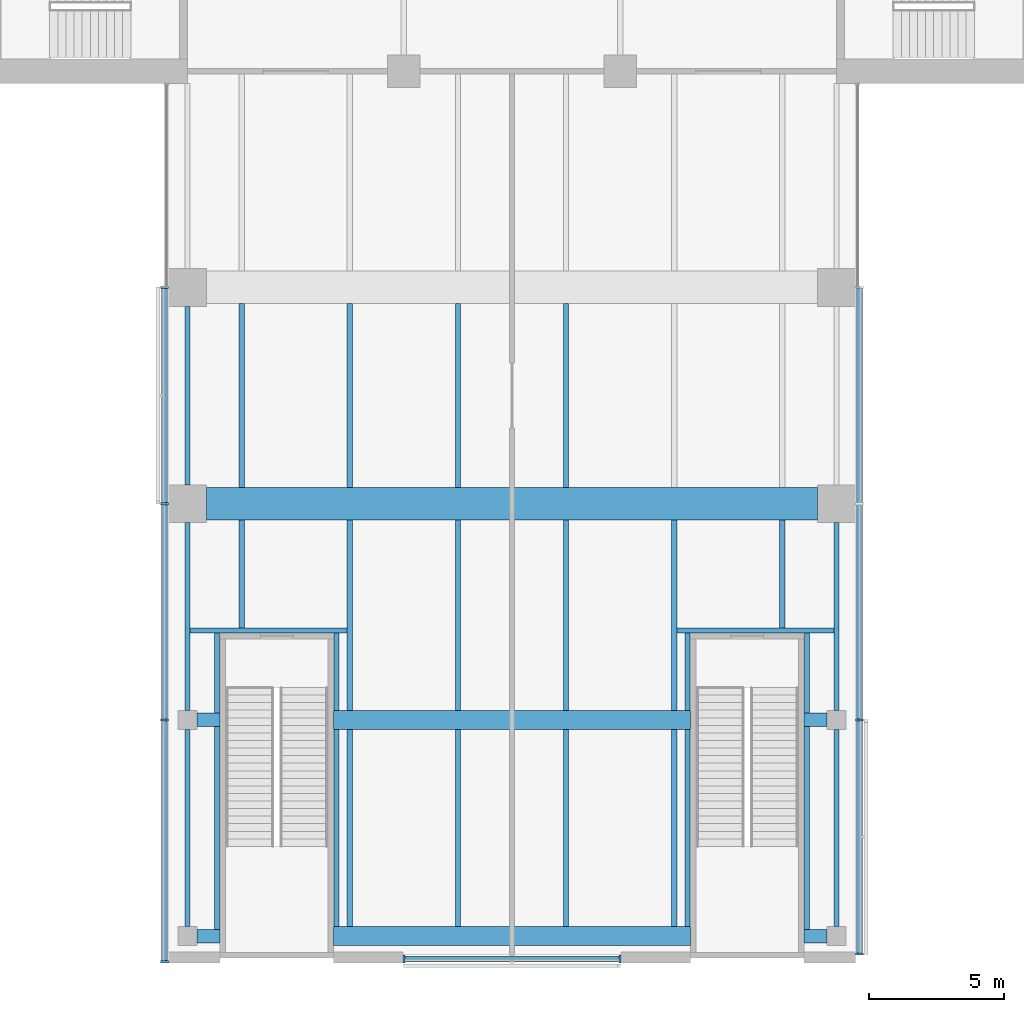
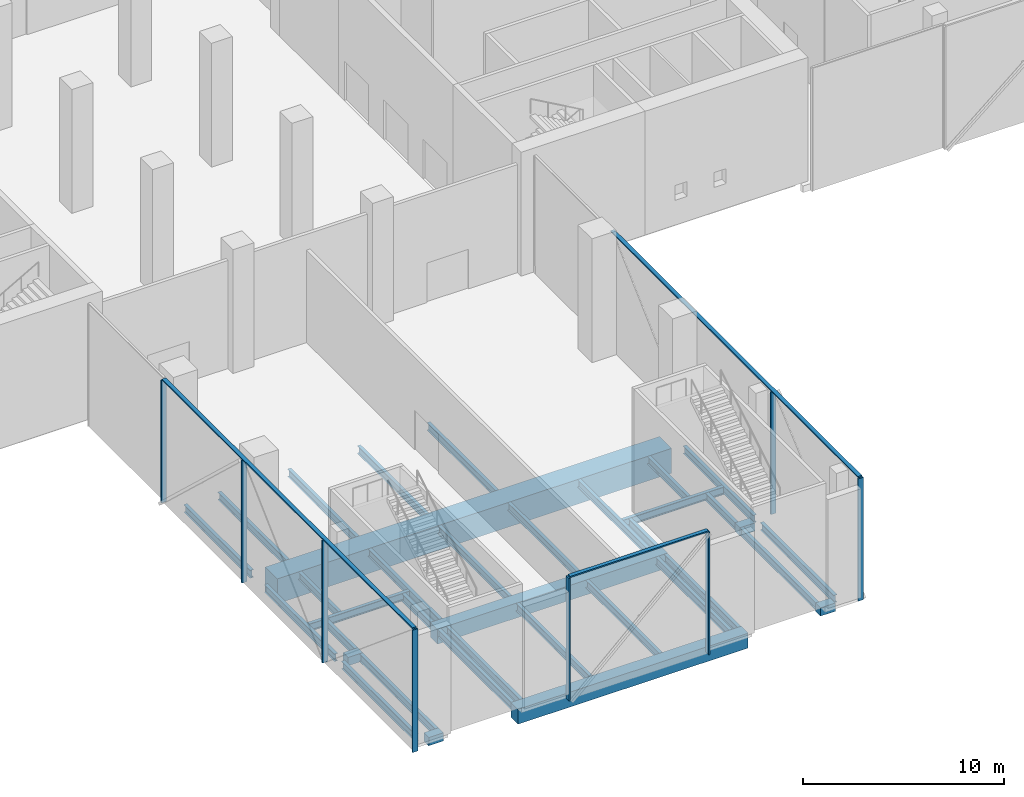
# One storey, part 2 of 25: 36 beams, 11 members, 3 elements without a shape of their own.
"""IFC4 building model written with IfcOpenShell, lengths in metres."""

from ifc_helpers import new_model, si_unit, direction, frame, origin, origin_2d, place, context, subcontext, project, spatial, rectangle, i_section, extrude, material, material_profile, profile_set, type_object, element, aggregate, save


model = new_model("IFC4")

# Units and contexts
model_context = context("Model", 3, precision=1e-05, world=origin(), true_north=direction((0.0, 1.0)))
body_context = subcontext(model_context, "Body", "Model", "MODEL_VIEW")
ifc_project = project(units=[si_unit("LENGTHUNIT", "METRE"), si_unit("AREAUNIT", "SQUARE_METRE"), si_unit("VOLUMEUNIT", "CUBIC_METRE"), si_unit("PLANEANGLEUNIT", "RADIAN"), si_unit("MASSUNIT", "GRAM", prefix="KILO")], contexts=[model_context])

# Site, building, storey
site_placement = place(None, origin())
site = spatial("IfcSite", under=ifc_project, at=site_placement, CompositionType="ELEMENT")
building_placement = place(site_placement, origin())
building = spatial("IfcBuilding", under=site, at=building_placement, Name="Crosswind Convention Tower", CompositionType="ELEMENT")
storey_placement = place(building_placement, frame((0.0, 0.0, 34.0)))
storey = spatial("IfcBuildingStorey", under=building, at=storey_placement, Name="L04", CompositionType="ELEMENT", Elevation=34.0)

# Beams
ifc_material_1 = material(Name="Steel S355", Category="steel")
ifc_material_profile_1 = material_profile(ifc_material_1, i_section(OverallWidth=0.19287109375, OverallDepth=0.467529296875, WebThickness=0.011474609375, FlangeThickness=0.01953125, FilletRadius=0.01025390625, at=origin_2d()), Name="UB 457x191x98")
ifc_profile_set_1 = profile_set([ifc_material_profile_1], Name="Steel S355")
beam_type_1 = type_object("IfcBeamType", Name="Edge beam UB 457x191x98", PredefinedType="SPANDREL", material=ifc_profile_set_1)
beam_1_placement = place(storey_placement, frame((113.0, 56.35009765625, -0.6337890625), z_axis=(0.0, 1.0, 0.0), x_axis=(-1.0, 0.0, 0.0)))
element("IfcBeam", 1, at=beam_1_placement, inside=storey, type_object=beam_type_1, Name="B20 L04 edge beam 5", PredefinedType="SPANDREL", context=body_context, shape_type="SweptSolid", body=[
    extrude(i_section(OverallWidth=0.19287109375, OverallDepth=0.467529296875, WebThickness=0.011474609375, FlangeThickness=0.01953125, FilletRadius=0.01025390625, at=origin_2d()), origin(), (0.0, 0.0, 1.0), 7.2998046875),
])
beam_2_placement = place(storey_placement, frame((113.0, 64.35009765625, -0.6337890625), z_axis=(0.0, 1.0, 0.0), x_axis=(-1.0, 0.0, 0.0)))
element("IfcBeam", 2, at=beam_2_placement, inside=storey, type_object=beam_type_1, Name="B20 L04 edge beam 6", PredefinedType="SPANDREL", context=body_context, shape_type="SweptSolid", body=[
    extrude(i_section(OverallWidth=0.19287109375, OverallDepth=0.467529296875, WebThickness=0.011474609375, FlangeThickness=0.01953125, FilletRadius=0.01025390625, at=origin_2d()), origin(), (0.0, 0.0, 1.0), 6.949951171875),
])
beam_3_placement = place(storey_placement, frame((113.0, 72.699951171875, -0.6337890625), z_axis=(0.0, 1.0, 0.0), x_axis=(-1.0, 0.0, 0.0)))
element("IfcBeam", 3, at=beam_3_placement, inside=storey, type_object=beam_type_1, Name="B20 L04 edge beam 7", PredefinedType="SPANDREL", context=body_context, shape_type="SweptSolid", body=[
    extrude(i_section(OverallWidth=0.19287109375, OverallDepth=0.467529296875, WebThickness=0.011474609375, FlangeThickness=0.01953125, FilletRadius=0.01025390625, at=origin_2d()), origin(), (0.0, 0.0, 1.0), 6.60009765625),
])
beam_4_placement = place(storey_placement, frame((137.0, 56.35009765625, -0.6337890625), z_axis=(0.0, 1.0, 0.0), x_axis=(-1.0, 0.0, 0.0)))
element("IfcBeam", 4, at=beam_4_placement, inside=storey, type_object=beam_type_1, Name="B20 L04 edge beam 13", PredefinedType="SPANDREL", context=body_context, shape_type="SweptSolid", body=[
    extrude(i_section(OverallWidth=0.19287109375, OverallDepth=0.467529296875, WebThickness=0.011474609375, FlangeThickness=0.01953125, FilletRadius=0.01025390625, at=origin_2d()), origin(), (0.0, 0.0, 1.0), 7.2998046875),
])
beam_5_placement = place(storey_placement, frame((137.0, 64.35009765625, -0.6337890625), z_axis=(0.0, 1.0, 0.0), x_axis=(-1.0, 0.0, 0.0)))
element("IfcBeam", 5, at=beam_5_placement, inside=storey, type_object=beam_type_1, Name="B20 L04 edge beam 14", PredefinedType="SPANDREL", context=body_context, shape_type="SweptSolid", body=[
    extrude(i_section(OverallWidth=0.19287109375, OverallDepth=0.467529296875, WebThickness=0.011474609375, FlangeThickness=0.01953125, FilletRadius=0.01025390625, at=origin_2d()), origin(), (0.0, 0.0, 1.0), 6.949951171875),
])

# Curtain wall, members
ifc_material_2 = material(Name="Aluminium unitised curtain wall", Category="aluminium")
curtain_wall_type = type_object("IfcCurtainWallType", Name="PODIUM UNITISED WALL 300", PredefinedType="USERDEFINED", material=ifc_material_2)
curtain_wall_1_placement = place(storey_placement, origin())
curtain_wall_1 = element("IfcCurtainWall", 6, at=curtain_wall_1_placement, inside=storey, type_object=curtain_wall_type, Name="CW1 L04 S-W 1", ObjectType="UNITISED", PredefinedType="USERDEFINED")
ifc_material_3 = material(Name="Aluminium mullion", Category="aluminium")
ifc_material_profile_2 = material_profile(ifc_material_3, rectangle(XDim=0.300048828125, YDim=0.080078125, at=origin_2d()), Name="AL 300X80")
ifc_profile_set_2 = profile_set([ifc_material_profile_2], Name="Aluminium mullion")
member_type_1 = type_object("IfcMemberType", Name="MULLION 80X300", PredefinedType="MULLION", material=ifc_profile_set_2)
member_1_placement = place(storey_placement, frame((112.14990234375, 80.0, -0.39990234375), z_axis=(0.0, 0.0, 1.0), x_axis=(-1.0, 0.0, 0.0)))
member_1 = element("IfcMember", 7, at=member_1_placement, type_object=member_type_1, Name="CW1 mullion 1", PredefinedType="MULLION", context=body_context, shape_type="SweptSolid", body=[
    extrude(rectangle(XDim=0.300048828125, YDim=0.080078125, at=origin_2d()), origin(), (0.0, 0.0, 1.0), 7.419921875),
])
member_2_placement = place(storey_placement, frame((112.14990234375, 72.0, -0.39990234375), z_axis=(0.0, 0.0, 1.0), x_axis=(-1.0, 0.0, 0.0)))
member_2 = element("IfcMember", 8, at=member_2_placement, type_object=member_type_1, Name="CW1 mullion 2", PredefinedType="MULLION", context=body_context, shape_type="SweptSolid", body=[
    extrude(rectangle(XDim=0.300048828125, YDim=0.080078125, at=origin_2d()), origin(), (0.0, 0.0, 1.0), 7.419921875),
])
member_3_placement = place(storey_placement, frame((112.14990234375, 64.0, -0.39990234375), z_axis=(0.0, 0.0, 1.0), x_axis=(-1.0, 0.0, 0.0)))
member_3 = element("IfcMember", 9, at=member_3_placement, type_object=member_type_1, Name="CW1 mullion 3", PredefinedType="MULLION", context=body_context, shape_type="SweptSolid", body=[
    extrude(rectangle(XDim=0.300048828125, YDim=0.080078125, at=origin_2d()), origin(), (0.0, 0.0, 1.0), 7.419921875),
])
member_4_placement = place(storey_placement, frame((112.14990234375, 55.054931640625, -0.39990234375), z_axis=(0.0, 0.0, 1.0), x_axis=(-1.0, 0.0, 0.0)))
member_4 = element("IfcMember", 10, at=member_4_placement, type_object=member_type_1, Name="CW1 mullion 4", PredefinedType="MULLION", context=body_context, shape_type="SweptSolid", body=[
    extrude(rectangle(XDim=0.300048828125, YDim=0.080078125, at=origin_2d()), origin(), (0.0, 0.0, 1.0), 7.419921875),
])

curtain_wall_2_placement = place(storey_placement, origin())
curtain_wall_2 = element("IfcCurtainWall", 11, at=curtain_wall_2_placement, inside=storey, type_object=curtain_wall_type, Name="CW1 L04 S-TIP 1", ObjectType="UNITISED", PredefinedType="USERDEFINED")
member_5_placement = place(storey_placement, frame((121.0, 55.14990234375, -0.39990234375), z_axis=(0.0, 0.0, 1.0), x_axis=(0.0, -1.0, 0.0)))
member_5 = element("IfcMember", 12, at=member_5_placement, type_object=member_type_1, Name="CW1 mullion 1", PredefinedType="MULLION", context=body_context, shape_type="SweptSolid", body=[
    extrude(rectangle(XDim=0.300048828125, YDim=0.080078125, at=origin_2d()), origin(), (0.0, 0.0, 1.0), 7.419921875),
])
member_6_placement = place(storey_placement, frame((129.0, 55.14990234375, -0.39990234375), z_axis=(0.0, 0.0, 1.0), x_axis=(0.0, -1.0, 0.0)))
member_6 = element("IfcMember", 13, at=member_6_placement, type_object=member_type_1, Name="CW1 mullion 2", PredefinedType="MULLION", context=body_context, shape_type="SweptSolid", body=[
    extrude(rectangle(XDim=0.300048828125, YDim=0.080078125, at=origin_2d()), origin(), (0.0, 0.0, 1.0), 7.419921875),
])

curtain_wall_3_placement = place(storey_placement, origin())
curtain_wall_3 = element("IfcCurtainWall", 14, at=curtain_wall_3_placement, inside=storey, type_object=curtain_wall_type, Name="CW1 L04 S-E 1", ObjectType="UNITISED", PredefinedType="USERDEFINED")
member_7_placement = place(storey_placement, frame((137.85009765625, 55.340087890625, -0.39990234375), z_axis=(0.0, 0.0, 1.0), x_axis=(1.0, 0.0, 0.0)))
member_7 = element("IfcMember", 15, at=member_7_placement, type_object=member_type_1, Name="CW1 mullion 1", PredefinedType="MULLION", context=body_context, shape_type="SweptSolid", body=[
    extrude(rectangle(XDim=0.300048828125, YDim=0.080078125, at=origin_2d()), origin(), (0.0, 0.0, 1.0), 7.419921875),
])
member_8_placement = place(storey_placement, frame((137.85009765625, 64.0, -0.39990234375), z_axis=(0.0, 0.0, 1.0), x_axis=(1.0, 0.0, 0.0)))
member_8 = element("IfcMember", 16, at=member_8_placement, type_object=member_type_1, Name="CW1 mullion 2", PredefinedType="MULLION", context=body_context, shape_type="SweptSolid", body=[
    extrude(rectangle(XDim=0.300048828125, YDim=0.080078125, at=origin_2d()), origin(), (0.0, 0.0, 1.0), 7.419921875),
])

# Beams
ifc_material_4 = material(Name="Concrete C70/85", Category="concrete")
ifc_material_profile_3 = material_profile(ifc_material_4, rectangle(XDim=1.199951171875, YDim=1.5, at=origin_2d()), Name="RC 1200X1500")
ifc_profile_set_3 = profile_set([ifc_material_profile_3], Name="Concrete C70/85")
beam_type_2 = type_object("IfcBeamType", Name="Prestressed concrete girder RC 1200X1500", PredefinedType="BEAM", material=ifc_profile_set_3)
beam_6_placement = place(storey_placement, frame((113.699951171875, 72.0, -1.14990234375), z_axis=(1.0, 0.0, 0.0), x_axis=(0.0, 1.0, 0.0)))
element("IfcBeam", 17, at=beam_6_placement, inside=storey, type_object=beam_type_2, Name="B39 L04 prestressed concrete girder 1", PredefinedType="BEAM", context=body_context, shape_type="SweptSolid", body=[
    extrude(rectangle(XDim=1.199951171875, YDim=1.5, at=origin_2d()), origin(), (0.0, 0.0, 1.0), 22.60009765625),
])
ifc_material_5 = material(Name="Concrete C60/75", Category="concrete")
ifc_material_profile_4 = material_profile(ifc_material_5, rectangle(XDim=0.699951171875, YDim=0.89990234375, at=origin_2d()), Name="RC 700X900")
ifc_profile_set_4 = profile_set([ifc_material_profile_4], Name="Concrete C60/75")
beam_type_3 = type_object("IfcBeamType", Name="Prestressed concrete girder between stair walls RC 700X900", PredefinedType="BEAM", material=ifc_profile_set_4)
for number, where, z_axis, x_axis, name in (
    (18, (118.39990234375, 56.0, -0.85009765625), (1.0, 0.0, 0.0), (0.0, 1.0, 0.0), "B41 L04 prestressed concrete girder between stair walls 3"),
    (19, (118.39990234375, 64.0, -0.85009765625), (1.0, 0.0, 0.0), (0.0, 1.0, 0.0), "B41 L04 prestressed concrete girder between stair walls 4"),
):
    element("IfcBeam", number, at=place(storey_placement, frame(where, z_axis=z_axis, x_axis=x_axis)), inside=storey, type_object=beam_type_3, Name=name, PredefinedType="BEAM", context=body_context, shape_type="SweptSolid", body=[
        extrude(rectangle(XDim=0.699951171875, YDim=0.89990234375, at=origin_2d()), origin(), (0.0, 0.0, 1.0), 13.2001953125),
    ])
ifc_material_profile_5 = material_profile(ifc_material_1, i_section(OverallWidth=0.19140625, OverallDepth=0.460205078125, WebThickness=0.010009765625, FlangeThickness=0.01611328125, FilletRadius=0.01025390625, at=origin_2d()), Name="UB 457x191x82")
ifc_profile_set_5 = profile_set([ifc_material_profile_5], Name="Steel S355")
beam_type_4 = type_object("IfcBeamType", Name="Secondary beam UB 457x191x82", PredefinedType="JOIST", material=ifc_profile_set_5)
beam_7_placement = place(storey_placement, frame((115.0, 67.406005859375, -0.630126953125), z_axis=(0.0, 1.0, 0.0), x_axis=(-1.0, 0.0, 0.0)))
element("IfcBeam", 20, at=beam_7_placement, inside=storey, type_object=beam_type_4, Name="B13 L04 secondary beam 14", PredefinedType="JOIST", context=body_context, shape_type="SweptSolid", body=[
    extrude(i_section(OverallWidth=0.19140625, OverallDepth=0.460205078125, WebThickness=0.010009765625, FlangeThickness=0.01611328125, FilletRadius=0.01025390625, at=origin_2d()), origin(), (0.0, 0.0, 1.0), 3.993896484375),
])
beam_8_placement = place(storey_placement, frame((115.0, 72.60009765625, -0.630126953125), z_axis=(0.0, 1.0, 0.0), x_axis=(-1.0, 0.0, 0.0)))
element("IfcBeam", 21, at=beam_8_placement, inside=storey, type_object=beam_type_4, Name="B13 L04 secondary beam 15", PredefinedType="JOIST", context=body_context, shape_type="SweptSolid", body=[
    extrude(i_section(OverallWidth=0.19140625, OverallDepth=0.460205078125, WebThickness=0.010009765625, FlangeThickness=0.01611328125, FilletRadius=0.01025390625, at=origin_2d()), origin(), (0.0, 0.0, 1.0), 6.7998046875),
])
beam_9_placement = place(storey_placement, frame((119.0, 56.35009765625, -0.630126953125), z_axis=(0.0, 1.0, 0.0), x_axis=(-1.0, 0.0, 0.0)))
element("IfcBeam", 22, at=beam_9_placement, inside=storey, type_object=beam_type_4, Name="B13 L04 secondary beam 20", PredefinedType="JOIST", context=body_context, shape_type="SweptSolid", body=[
    extrude(i_section(OverallWidth=0.19140625, OverallDepth=0.460205078125, WebThickness=0.010009765625, FlangeThickness=0.01611328125, FilletRadius=0.01025390625, at=origin_2d()), origin(), (0.0, 0.0, 1.0), 7.2998046875),
])
beam_10_placement = place(storey_placement, frame((119.0, 64.35009765625, -0.630126953125), z_axis=(0.0, 1.0, 0.0), x_axis=(-1.0, 0.0, 0.0)))
element("IfcBeam", 23, at=beam_10_placement, inside=storey, type_object=beam_type_4, Name="B13 L04 secondary beam 21", PredefinedType="JOIST", context=body_context, shape_type="SweptSolid", body=[
    extrude(i_section(OverallWidth=0.19140625, OverallDepth=0.460205078125, WebThickness=0.010009765625, FlangeThickness=0.01611328125, FilletRadius=0.01025390625, at=origin_2d()), origin(), (0.0, 0.0, 1.0), 7.0498046875),
])
beam_11_placement = place(storey_placement, frame((119.0, 72.60009765625, -0.630126953125), z_axis=(0.0, 1.0, 0.0), x_axis=(-1.0, 0.0, 0.0)))
element("IfcBeam", 24, at=beam_11_placement, inside=storey, type_object=beam_type_4, Name="B13 L04 secondary beam 22", PredefinedType="JOIST", context=body_context, shape_type="SweptSolid", body=[
    extrude(i_section(OverallWidth=0.19140625, OverallDepth=0.460205078125, WebThickness=0.010009765625, FlangeThickness=0.01611328125, FilletRadius=0.01025390625, at=origin_2d()), origin(), (0.0, 0.0, 1.0), 6.7998046875),
])
beam_12_placement = place(storey_placement, frame((123.0, 56.35009765625, -0.630126953125), z_axis=(0.0, 1.0, 0.0), x_axis=(-1.0, 0.0, 0.0)))
element("IfcBeam", 25, at=beam_12_placement, inside=storey, type_object=beam_type_4, Name="B13 L04 secondary beam 31", PredefinedType="JOIST", context=body_context, shape_type="SweptSolid", body=[
    extrude(i_section(OverallWidth=0.19140625, OverallDepth=0.460205078125, WebThickness=0.010009765625, FlangeThickness=0.01611328125, FilletRadius=0.01025390625, at=origin_2d()), origin(), (0.0, 0.0, 1.0), 7.2998046875),
])
beam_13_placement = place(storey_placement, frame((123.0, 64.35009765625, -0.630126953125), z_axis=(0.0, 1.0, 0.0), x_axis=(-1.0, 0.0, 0.0)))
element("IfcBeam", 26, at=beam_13_placement, inside=storey, type_object=beam_type_4, Name="B13 L04 secondary beam 32", PredefinedType="JOIST", context=body_context, shape_type="SweptSolid", body=[
    extrude(i_section(OverallWidth=0.19140625, OverallDepth=0.460205078125, WebThickness=0.010009765625, FlangeThickness=0.01611328125, FilletRadius=0.01025390625, at=origin_2d()), origin(), (0.0, 0.0, 1.0), 7.0498046875),
])
beam_14_placement = place(storey_placement, frame((123.0, 72.60009765625, -0.630126953125), z_axis=(0.0, 1.0, 0.0), x_axis=(-1.0, 0.0, 0.0)))
element("IfcBeam", 27, at=beam_14_placement, inside=storey, type_object=beam_type_4, Name="B13 L04 secondary beam 33", PredefinedType="JOIST", context=body_context, shape_type="SweptSolid", body=[
    extrude(i_section(OverallWidth=0.19140625, OverallDepth=0.460205078125, WebThickness=0.010009765625, FlangeThickness=0.01611328125, FilletRadius=0.01025390625, at=origin_2d()), origin(), (0.0, 0.0, 1.0), 6.7998046875),
])
beam_15_placement = place(storey_placement, frame((127.0, 56.35009765625, -0.630126953125), z_axis=(0.0, 1.0, 0.0), x_axis=(-1.0, 0.0, 0.0)))
element("IfcBeam", 28, at=beam_15_placement, inside=storey, type_object=beam_type_4, Name="B13 L04 secondary beam 39", PredefinedType="JOIST", context=body_context, shape_type="SweptSolid", body=[
    extrude(i_section(OverallWidth=0.19140625, OverallDepth=0.460205078125, WebThickness=0.010009765625, FlangeThickness=0.01611328125, FilletRadius=0.01025390625, at=origin_2d()), origin(), (0.0, 0.0, 1.0), 7.2998046875),
])
beam_16_placement = place(storey_placement, frame((127.0, 64.35009765625, -0.630126953125), z_axis=(0.0, 1.0, 0.0), x_axis=(-1.0, 0.0, 0.0)))
element("IfcBeam", 29, at=beam_16_placement, inside=storey, type_object=beam_type_4, Name="B13 L04 secondary beam 40", PredefinedType="JOIST", context=body_context, shape_type="SweptSolid", body=[
    extrude(i_section(OverallWidth=0.19140625, OverallDepth=0.460205078125, WebThickness=0.010009765625, FlangeThickness=0.01611328125, FilletRadius=0.01025390625, at=origin_2d()), origin(), (0.0, 0.0, 1.0), 7.0498046875),
])
beam_17_placement = place(storey_placement, frame((127.0, 72.60009765625, -0.630126953125), z_axis=(0.0, 1.0, 0.0), x_axis=(-1.0, 0.0, 0.0)))
element("IfcBeam", 30, at=beam_17_placement, inside=storey, type_object=beam_type_4, Name="B13 L04 secondary beam 41", PredefinedType="JOIST", context=body_context, shape_type="SweptSolid", body=[
    extrude(i_section(OverallWidth=0.19140625, OverallDepth=0.460205078125, WebThickness=0.010009765625, FlangeThickness=0.01611328125, FilletRadius=0.01025390625, at=origin_2d()), origin(), (0.0, 0.0, 1.0), 6.7998046875),
])
beam_18_placement = place(storey_placement, frame((131.0, 56.35009765625, -0.630126953125), z_axis=(0.0, 1.0, 0.0), x_axis=(-1.0, 0.0, 0.0)))
element("IfcBeam", 31, at=beam_18_placement, inside=storey, type_object=beam_type_4, Name="B13 L04 secondary beam 50", PredefinedType="JOIST", context=body_context, shape_type="SweptSolid", body=[
    extrude(i_section(OverallWidth=0.19140625, OverallDepth=0.460205078125, WebThickness=0.010009765625, FlangeThickness=0.01611328125, FilletRadius=0.01025390625, at=origin_2d()), origin(), (0.0, 0.0, 1.0), 7.2998046875),
])
beam_19_placement = place(storey_placement, frame((131.0, 64.35009765625, -0.630126953125), z_axis=(0.0, 1.0, 0.0), x_axis=(-1.0, 0.0, 0.0)))
element("IfcBeam", 32, at=beam_19_placement, inside=storey, type_object=beam_type_4, Name="B13 L04 secondary beam 51", PredefinedType="JOIST", context=body_context, shape_type="SweptSolid", body=[
    extrude(i_section(OverallWidth=0.19140625, OverallDepth=0.460205078125, WebThickness=0.010009765625, FlangeThickness=0.01611328125, FilletRadius=0.01025390625, at=origin_2d()), origin(), (0.0, 0.0, 1.0), 7.0498046875),
])
beam_20_placement = place(storey_placement, frame((135.0, 67.406005859375, -0.630126953125), z_axis=(0.0, 1.0, 0.0), x_axis=(-1.0, 0.0, 0.0)))
element("IfcBeam", 33, at=beam_20_placement, inside=storey, type_object=beam_type_4, Name="B13 L04 secondary beam 58", PredefinedType="JOIST", context=body_context, shape_type="SweptSolid", body=[
    extrude(i_section(OverallWidth=0.19140625, OverallDepth=0.460205078125, WebThickness=0.010009765625, FlangeThickness=0.01611328125, FilletRadius=0.01025390625, at=origin_2d()), origin(), (0.0, 0.0, 1.0), 3.993896484375),
])
ifc_material_profile_6 = material_profile(ifc_material_5, rectangle(XDim=0.5, YDim=0.5, at=origin_2d()), Name="RC 500X500")
ifc_profile_set_6 = profile_set([ifc_material_profile_6], Name="Concrete C60/75")
beam_type_5 = type_object("IfcBeamType", Name="Slab edge tie beam RC 500X500", PredefinedType="BEAM", material=ifc_profile_set_6)
for number, where, z_axis, x_axis, name in (
    (34, (113.35009765625, 56.0, -0.64990234375), (1.0, 0.0, 0.0), (0.0, 1.0, 0.0), "B42 L04 slab edge tie beam 5"),
    (35, (113.35009765625, 64.0, -0.64990234375), (1.0, 0.0, 0.0), (0.0, 1.0, 0.0), "B42 L04 slab edge tie beam 6"),
    (36, (135.800048828125, 56.0, -0.64990234375), (1.0, 0.0, 0.0), (0.0, 1.0, 0.0), "B42 L04 slab edge tie beam 9"),
    (37, (135.800048828125, 64.0, -0.64990234375), (1.0, 0.0, 0.0), (0.0, 1.0, 0.0), "B42 L04 slab edge tie beam 10"),
):
    element("IfcBeam", number, at=place(storey_placement, frame(where, z_axis=z_axis, x_axis=x_axis)), inside=storey, type_object=beam_type_5, Name=name, PredefinedType="BEAM", context=body_context, shape_type="SweptSolid", body=[
        extrude(rectangle(XDim=0.5, YDim=0.5, at=origin_2d()), origin(), (0.0, 0.0, 1.0), 0.849853515625),
    ])

# Member
ifc_material_6 = material(Name="Aluminium transom", Category="aluminium")
ifc_material_profile_7 = material_profile(ifc_material_6, rectangle(XDim=0.219970703125, YDim=0.080078125, at=origin_2d()), Name="AL 220X80")
ifc_profile_set_7 = profile_set([ifc_material_profile_7], Name="Aluminium transom")
member_type_2 = type_object("IfcMemberType", Name="TRANSOM 80X220", PredefinedType="USERDEFINED", material=ifc_profile_set_7)
member_9_placement = place(storey_placement, frame((112.14990234375, 79.9599609375, 7.06005859375), z_axis=(0.0, -1.0, 0.0), x_axis=(1.0, 0.0, 0.0)))
member_9 = element("IfcMember", 38, at=member_9_placement, type_object=member_type_2, Name="CW1 transom", ObjectType="TRANSOM", PredefinedType="USERDEFINED", context=body_context, shape_type="SweptSolid", body=[
    extrude(rectangle(XDim=0.219970703125, YDim=0.080078125, at=origin_2d()), origin(), (0.0, 0.0, 1.0), 24.864990234375),
])

aggregate(curtain_wall_1, [member_1, member_2, member_3, member_4, member_9])

member_10_placement = place(storey_placement, frame((121.0400390625, 55.14990234375, 7.06005859375), z_axis=(1.0, 0.0, 0.0), x_axis=(0.0, 1.0, 0.0)))
member_10 = element("IfcMember", 39, at=member_10_placement, type_object=member_type_2, Name="CW1 transom", ObjectType="TRANSOM", PredefinedType="USERDEFINED", context=body_context, shape_type="SweptSolid", body=[
    extrude(rectangle(XDim=0.219970703125, YDim=0.080078125, at=origin_2d()), origin(), (0.0, 0.0, 1.0), 7.919921875),
])

aggregate(curtain_wall_2, [member_5, member_6, member_10])

member_11_placement = place(storey_placement, frame((137.85009765625, 55.3798828125, 7.06005859375), z_axis=(0.0, 1.0, 0.0), x_axis=(-1.0, 0.0, 0.0)))
member_11 = element("IfcMember", 40, at=member_11_placement, type_object=member_type_2, Name="CW1 transom", ObjectType="TRANSOM", PredefinedType="USERDEFINED", context=body_context, shape_type="SweptSolid", body=[
    extrude(rectangle(XDim=0.219970703125, YDim=0.080078125, at=origin_2d()), origin(), (0.0, 0.0, 1.0), 24.580078125),
])

aggregate(curtain_wall_3, [member_7, member_8, member_11])

# Beams
ifc_material_profile_8 = material_profile(ifc_material_1, i_section(OverallWidth=0.19189453125, OverallDepth=0.463623046875, WebThickness=0.010498046875, FlangeThickness=0.017578125, FilletRadius=0.01025390625, at=origin_2d()), Name="UB 457x191x90")
ifc_profile_set_8 = profile_set([ifc_material_profile_8], Name="Steel S355")
beam_type_6 = type_object("IfcBeamType", Name="Trimmer beam UB 457x191x90", PredefinedType="BEAM", material=ifc_profile_set_8)
beam_21_placement = place(storey_placement, frame((113.096435546875, 67.31005859375, -0.6318359375), z_axis=(1.0, 0.0, 0.0), x_axis=(0.0, 1.0, 0.0)))
element("IfcBeam", 41, at=beam_21_placement, inside=storey, type_object=beam_type_6, Name="B33 L04 trimmer beam 11", PredefinedType="BEAM", context=body_context, shape_type="SweptSolid", body=[
    extrude(i_section(OverallWidth=0.19189453125, OverallDepth=0.463623046875, WebThickness=0.010498046875, FlangeThickness=0.017578125, FilletRadius=0.01025390625, at=origin_2d()), origin(), (0.0, 0.0, 1.0), 5.807861328125),
])
beam_22_placement = place(storey_placement, frame((114.090087890625, 63.75, -0.6318359375), z_axis=(0.0, -1.0, 0.0), x_axis=(1.0, 0.0, 0.0)))
element("IfcBeam", 42, at=beam_22_placement, inside=storey, type_object=beam_type_6, Name="B33 L04 trimmer beam 13", PredefinedType="BEAM", context=body_context, shape_type="SweptSolid", body=[
    extrude(i_section(OverallWidth=0.19189453125, OverallDepth=0.463623046875, WebThickness=0.010498046875, FlangeThickness=0.017578125, FilletRadius=0.01025390625, at=origin_2d()), origin(), (0.0, 0.0, 1.0), 7.5),
])
beam_23_placement = place(storey_placement, frame((114.090087890625, 67.214111328125, -0.6318359375), z_axis=(0.0, -1.0, 0.0), x_axis=(1.0, 0.0, 0.0)))
element("IfcBeam", 43, at=beam_23_placement, inside=storey, type_object=beam_type_6, Name="B33 L04 trimmer beam 14", PredefinedType="BEAM", context=body_context, shape_type="SweptSolid", body=[
    extrude(i_section(OverallWidth=0.19189453125, OverallDepth=0.463623046875, WebThickness=0.010498046875, FlangeThickness=0.017578125, FilletRadius=0.01025390625, at=origin_2d()), origin(), (0.0, 0.0, 1.0), 2.964111328125),
])
beam_24_placement = place(storey_placement, frame((118.510009765625, 63.64990234375, -0.6318359375), z_axis=(0.0, -1.0, 0.0), x_axis=(1.0, 0.0, 0.0)))
element("IfcBeam", 44, at=beam_24_placement, inside=storey, type_object=beam_type_6, Name="B33 L04 trimmer beam 17", PredefinedType="BEAM", context=body_context, shape_type="SweptSolid", body=[
    extrude(i_section(OverallWidth=0.19189453125, OverallDepth=0.463623046875, WebThickness=0.010498046875, FlangeThickness=0.017578125, FilletRadius=0.01025390625, at=origin_2d()), origin(), (0.0, 0.0, 1.0), 7.2998046875),
])
beam_25_placement = place(storey_placement, frame((118.510009765625, 67.214111328125, -0.6318359375), z_axis=(0.0, -1.0, 0.0), x_axis=(1.0, 0.0, 0.0)))
element("IfcBeam", 45, at=beam_25_placement, inside=storey, type_object=beam_type_6, Name="B33 L04 trimmer beam 18", PredefinedType="BEAM", context=body_context, shape_type="SweptSolid", body=[
    extrude(i_section(OverallWidth=0.19189453125, OverallDepth=0.463623046875, WebThickness=0.010498046875, FlangeThickness=0.017578125, FilletRadius=0.01025390625, at=origin_2d()), origin(), (0.0, 0.0, 1.0), 2.864013671875),
])
beam_26_placement = place(storey_placement, frame((131.095703125, 67.31005859375, -0.6318359375), z_axis=(1.0, 0.0, 0.0), x_axis=(0.0, 1.0, 0.0)))
element("IfcBeam", 46, at=beam_26_placement, inside=storey, type_object=beam_type_6, Name="B33 L04 trimmer beam 21", PredefinedType="BEAM", context=body_context, shape_type="SweptSolid", body=[
    extrude(i_section(OverallWidth=0.19189453125, OverallDepth=0.463623046875, WebThickness=0.010498046875, FlangeThickness=0.017578125, FilletRadius=0.01025390625, at=origin_2d()), origin(), (0.0, 0.0, 1.0), 5.807861328125),
])
beam_27_placement = place(storey_placement, frame((131.489990234375, 63.64990234375, -0.6318359375), z_axis=(0.0, -1.0, 0.0), x_axis=(1.0, 0.0, 0.0)))
element("IfcBeam", 47, at=beam_27_placement, inside=storey, type_object=beam_type_6, Name="B33 L04 trimmer beam 23", PredefinedType="BEAM", context=body_context, shape_type="SweptSolid", body=[
    extrude(i_section(OverallWidth=0.19189453125, OverallDepth=0.463623046875, WebThickness=0.010498046875, FlangeThickness=0.017578125, FilletRadius=0.01025390625, at=origin_2d()), origin(), (0.0, 0.0, 1.0), 7.2998046875),
])
beam_28_placement = place(storey_placement, frame((131.489990234375, 67.214111328125, -0.6318359375), z_axis=(0.0, -1.0, 0.0), x_axis=(1.0, 0.0, 0.0)))
element("IfcBeam", 48, at=beam_28_placement, inside=storey, type_object=beam_type_6, Name="B33 L04 trimmer beam 24", PredefinedType="BEAM", context=body_context, shape_type="SweptSolid", body=[
    extrude(i_section(OverallWidth=0.19189453125, OverallDepth=0.463623046875, WebThickness=0.010498046875, FlangeThickness=0.017578125, FilletRadius=0.01025390625, at=origin_2d()), origin(), (0.0, 0.0, 1.0), 2.864013671875),
])
beam_29_placement = place(storey_placement, frame((135.909912109375, 63.75, -0.6318359375), z_axis=(0.0, -1.0, 0.0), x_axis=(1.0, 0.0, 0.0)))
element("IfcBeam", 49, at=beam_29_placement, inside=storey, type_object=beam_type_6, Name="B33 L04 trimmer beam 27", PredefinedType="BEAM", context=body_context, shape_type="SweptSolid", body=[
    extrude(i_section(OverallWidth=0.19189453125, OverallDepth=0.463623046875, WebThickness=0.010498046875, FlangeThickness=0.017578125, FilletRadius=0.01025390625, at=origin_2d()), origin(), (0.0, 0.0, 1.0), 7.5),
])
beam_30_placement = place(storey_placement, frame((135.909912109375, 67.214111328125, -0.6318359375), z_axis=(0.0, -1.0, 0.0), x_axis=(1.0, 0.0, 0.0)))
element("IfcBeam", 50, at=beam_30_placement, inside=storey, type_object=beam_type_6, Name="B33 L04 trimmer beam 28", PredefinedType="BEAM", context=body_context, shape_type="SweptSolid", body=[
    extrude(i_section(OverallWidth=0.19189453125, OverallDepth=0.463623046875, WebThickness=0.010498046875, FlangeThickness=0.017578125, FilletRadius=0.01025390625, at=origin_2d()), origin(), (0.0, 0.0, 1.0), 2.964111328125),
])

save(model, "model.ifc")
